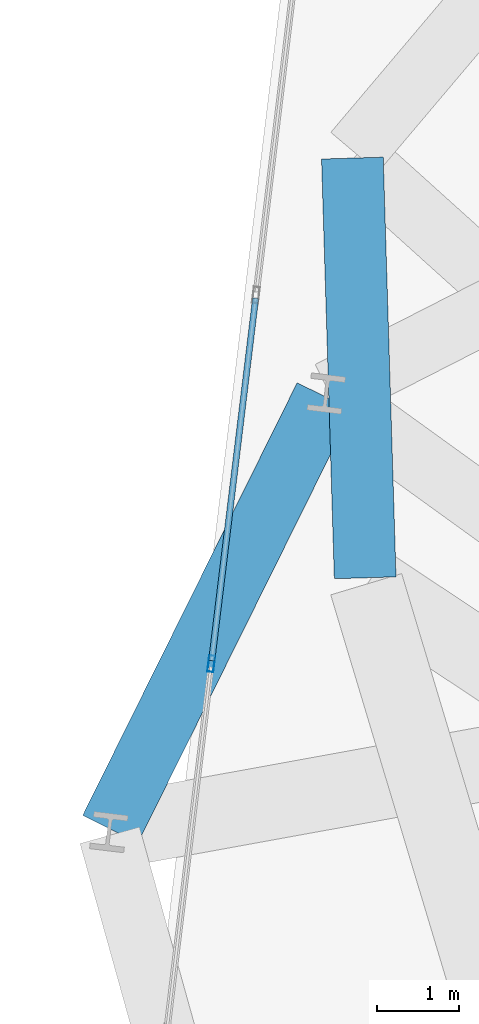
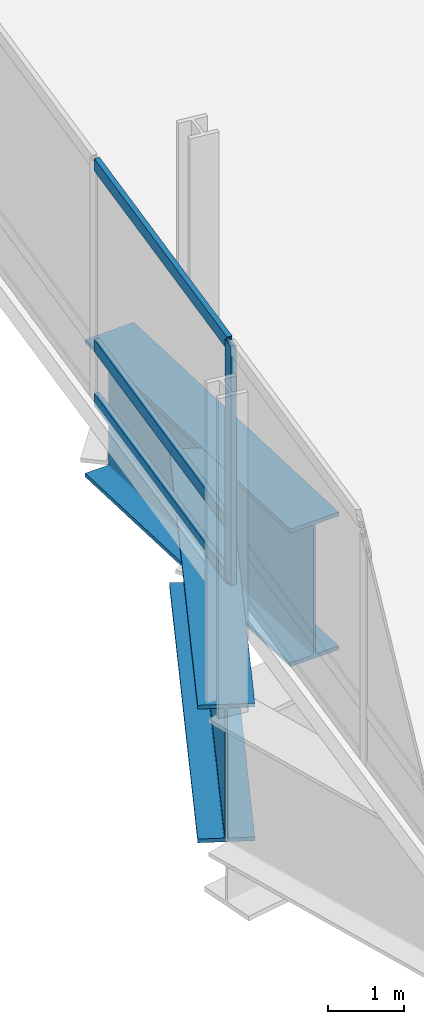
# One storey, part 6 of 22: 4 members, 2 beams, 1 element without a shape of its own.
"""IFC4 building model written with IfcOpenShell, lengths in metres."""

from ifc_helpers import new_model, si_unit, direction, frame, origin, origin_2d, place, context, subcontext, project, spatial, hollow_rectangle, i_section, extrude, material, layer, layer_set, material_profile, profile_set, type_object, element, aggregate, save


model = new_model("IFC4")

# Units and contexts
model_context = context("Model", 3, precision=1e-05, world=origin(), true_north=direction((0.0, 1.0)))
body_context = subcontext(model_context, "Body", "Model", "MODEL_VIEW")
ifc_project = project(units=[si_unit("LENGTHUNIT", "METRE"), si_unit("AREAUNIT", "SQUARE_METRE"), si_unit("VOLUMEUNIT", "CUBIC_METRE"), si_unit("PLANEANGLEUNIT", "RADIAN"), si_unit("MASSUNIT", "GRAM", prefix="KILO")], contexts=[model_context])

# Site, building, storey
site_placement = place(None, origin())
site = spatial("IfcSite", under=ifc_project, at=site_placement, CompositionType="ELEMENT")
building_placement = place(site_placement, origin())
building = spatial("IfcBuilding", under=site, at=building_placement, Name="Varnelok Gate Tower", CompositionType="ELEMENT")
storey_placement = place(building_placement, frame((0.0, 0.0, 116.89990234375)))
storey = spatial("IfcBuildingStorey", under=building, at=storey_placement, Name="L29", CompositionType="ELEMENT", Elevation=116.89990234375)

# Beams
ifc_material_1 = material(Name="Structural Steel ASTM A572 Grade 50", Category="steel")
ifc_material_profile_1 = material_profile(ifc_material_1, i_section(OverallWidth=0.75, OverallDepth=2.199951171875, WebThickness=0.031982421875, FlangeThickness=0.06005859375, FilletRadius=0.028076171875, at=origin_2d()), Name="PG2200X750")
ifc_profile_set_1 = profile_set([ifc_material_profile_1], Name="Structural Steel ASTM A572 Grade 50")
beam_type = type_object("IfcBeamType", Name="BM-TR-PG2200", PredefinedType="BEAM", material=ifc_profile_set_1)
beam_1_placement = place(storey_placement, frame((6.924560546875, 42.387451171875, -1.419921875), z_axis=(0.030422359137, -0.999537132909, 0.0), x_axis=(0.999537132909, 0.030422359137, 0.0)))
element("IfcBeam", 1, at=beam_1_placement, inside=storey, type_object=beam_type, Name="L29 Transfer Support Ring Girder 15", PredefinedType="BEAM", context=body_context, shape_type="SweptSolid", body=[
    extrude(i_section(OverallWidth=0.75, OverallDepth=2.199951171875, WebThickness=0.031982421875, FlangeThickness=0.06005859375, FilletRadius=0.028076171875, at=origin_2d()), origin(), (0.0, 0.0, 1.0), 5.10400390625),
])
beam_2_placement = place(storey_placement, frame((6.58935546875, 39.489990234375, -1.419921875), z_axis=(-0.444166432753, -0.895944295152, 0.0), x_axis=(0.895944295152, -0.444166432753, 0.0)))
element("IfcBeam", 2, at=beam_2_placement, inside=storey, type_object=beam_type, Name="L29 Upper Perimeter Transfer Ring 14", PredefinedType="BEAM", context=body_context, shape_type="SweptSolid", body=[
    extrude(i_section(OverallWidth=0.75, OverallDepth=2.199951171875, WebThickness=0.031982421875, FlangeThickness=0.06005859375, FilletRadius=0.028076171875, at=origin_2d()), origin(), (0.0, 0.0, 1.0), 5.869873046875),
])

# Curtain wall, members
ifc_material_2 = material(Name="Anodized Aluminum Alloy 6063-T6", Category="aluminium")
ifc_layer = layer(ifc_material_2, 0.179931640625)
ifc_layer_set = layer_set([ifc_layer], Name="Anodized Aluminum Alloy 6063-T6")
curtain_wall_type = type_object("IfcCurtainWallType", Name="CW2-ATRIUM-GLAZING", PredefinedType="USERDEFINED", material=ifc_layer_set)
curtain_wall_placement = place(storey_placement, origin())
curtain_wall = element("IfcCurtainWall", 3, at=curtain_wall_placement, inside=storey, type_object=curtain_wall_type, Name="L29 West End Vision Curtain Wall", ObjectType="UNITISED CURTAIN WALL", PredefinedType="USERDEFINED")
ifc_material_profile_2 = material_profile(ifc_material_2, hollow_rectangle(XDim=0.074951171875, YDim=0.199951171875, WallThickness=0.00390625, at=origin_2d()), Name="ALU200X75X4")
ifc_profile_set_2 = profile_set([ifc_material_profile_2], Name="Anodized Aluminum Alloy 6063-T6")
member_type_1 = type_object("IfcMemberType", Name="CW-MULL-200", PredefinedType="MULLION", material=ifc_profile_set_2)
member_1_placement = place(storey_placement, frame((5.209716796875, 36.241455078125, 0.0), z_axis=(0.0, 0.0, 1.0), x_axis=(-0.992732166735, 0.120344692987, 0.0)))
member_1 = element("IfcMember", 4, at=member_1_placement, type_object=member_type_1, Name="CW2 mullion 6", PredefinedType="MULLION", context=body_context, shape_type="SweptSolid", body=[
    extrude(hollow_rectangle(XDim=0.074951171875, YDim=0.199951171875, WallThickness=0.00390625, at=origin_2d()), origin(), (0.0, 0.0, 1.0), 3.830078125),
])
ifc_material_profile_3 = material_profile(ifc_material_2, hollow_rectangle(XDim=0.074951171875, YDim=0.199951171875, WallThickness=0.00390625, at=origin_2d()), Name="ALU200X75X4")
ifc_profile_set_3 = profile_set([ifc_material_profile_3], Name="Anodized Aluminum Alloy 6063-T6")
member_type_2 = type_object("IfcMemberType", Name="CW-TRAN-200", PredefinedType="USERDEFINED", material=ifc_profile_set_3)
member_2_placement = place(storey_placement, frame((5.21435546875, 36.27880859375, 0.03759765625), z_axis=(0.120331367519, 0.992733782034, 0.0), x_axis=(-0.992733782034, 0.120331367519, 0.0)))
member_2 = element("IfcMember", 5, at=member_2_placement, type_object=member_type_2, Name="CW2 transom 6.1", ObjectType="TRANSOM", PredefinedType="USERDEFINED", context=body_context, shape_type="SweptSolid", body=[
    extrude(hollow_rectangle(XDim=0.074951171875, YDim=0.199951171875, WallThickness=0.00390625, at=origin_2d()), origin(), (0.0, 0.0, 1.0), 4.439208984375),
])
member_3_placement = place(storey_placement, frame((5.21435546875, 36.27880859375, 0.900146484375), z_axis=(0.120331367519, 0.992733782034, 0.0), x_axis=(-0.992733782034, 0.120331367519, 0.0)))
member_3 = element("IfcMember", 6, at=member_3_placement, type_object=member_type_2, Name="CW2 transom 6.2", ObjectType="TRANSOM", PredefinedType="USERDEFINED", context=body_context, shape_type="SweptSolid", body=[
    extrude(hollow_rectangle(XDim=0.074951171875, YDim=0.199951171875, WallThickness=0.00390625, at=origin_2d()), origin(), (0.0, 0.0, 1.0), 4.439208984375),
])
member_4_placement = place(storey_placement, frame((5.21435546875, 36.27880859375, 3.79248046875), z_axis=(0.120331367519, 0.992733782034, 0.0), x_axis=(-0.992733782034, 0.120331367519, 0.0)))
member_4 = element("IfcMember", 7, at=member_4_placement, type_object=member_type_2, Name="CW2 transom 6.3", ObjectType="TRANSOM", PredefinedType="USERDEFINED", context=body_context, shape_type="SweptSolid", body=[
    extrude(hollow_rectangle(XDim=0.074951171875, YDim=0.199951171875, WallThickness=0.00390625, at=origin_2d()), origin(), (0.0, 0.0, 1.0), 4.439208984375),
])
aggregate(curtain_wall, [member_1, member_2, member_3, member_4])

save(model, "model.ifc")
